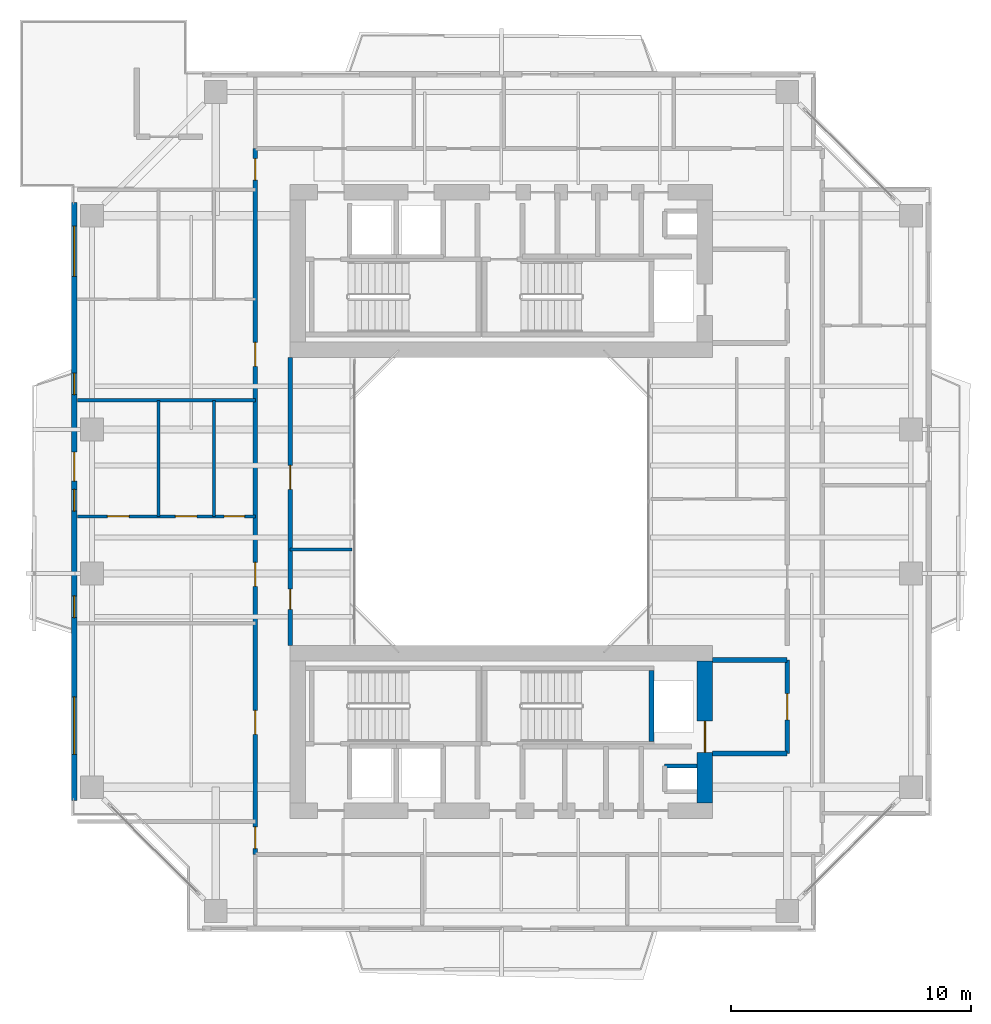
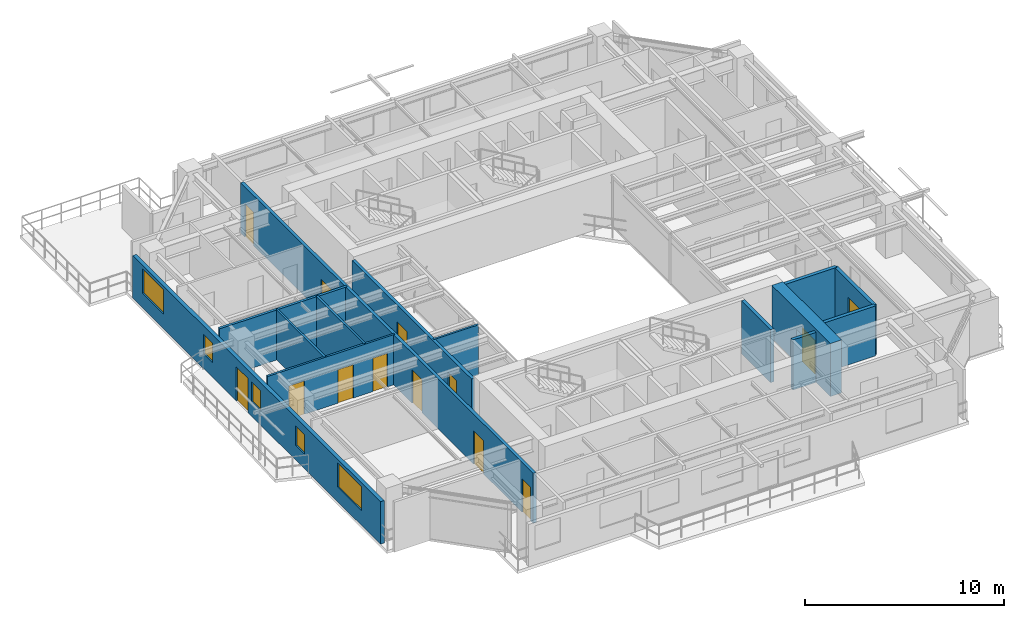
# One storey, part 11 of 17: 14 walls, 13 doors, 5 windows, 18 openings.
"""IFC4 building model written with IfcOpenShell, lengths in metres."""

from ifc_helpers import new_model, si_unit, direction, frame, frame_2d, origin, place, context, subcontext, project, spatial, rectangle, extrude, source, transform, mapped, material, layer, layer_set, type_object, element, fill, save


model = new_model("IFC4")

# Units and contexts
model_context = context("Model", 3, precision=1e-05, world=origin(), true_north=direction((0.0, 1.0)))
body_context = subcontext(model_context, "Body", "Model", "MODEL_VIEW")
ifc_project = project(units=[si_unit("LENGTHUNIT", "METRE"), si_unit("AREAUNIT", "SQUARE_METRE"), si_unit("VOLUMEUNIT", "CUBIC_METRE"), si_unit("PLANEANGLEUNIT", "RADIAN"), si_unit("MASSUNIT", "GRAM", prefix="KILO"), si_unit("THERMODYNAMICTEMPERATUREUNIT", "KELVIN"), si_unit("POWERUNIT", "WATT")], contexts=[model_context])

# Site, building, storey
site_placement = place(None, origin())
site = spatial("IfcSite", under=ifc_project, at=site_placement, CompositionType="ELEMENT")
building_placement = place(site_placement, origin())
building = spatial("IfcBuilding", under=site, at=building_placement, Name="Qiaomeng Ring Towers", CompositionType="ELEMENT")
storey_placement = place(building_placement, frame((0.0, 0.0, 143.75)))
storey = spatial("IfcBuildingStorey", under=building, at=storey_placement, Name="L41", CompositionType="ELEMENT", Elevation=143.75)

# Wall, openings, windows, door
ifc_material_1 = material(Name="Precast concrete C40", Category="concrete")
ifc_layer_1 = layer(ifc_material_1, 0.219970703125, Name="Precast concrete C40")
ifc_layer_set_1 = layer_set([ifc_layer_1], Name="Precast concrete C40")
wall_type_1 = type_object("IfcWallType", Name="ARC-WL-EW2", PredefinedType="STANDARD", material=ifc_layer_set_1)
wall_1_placement = place(storey_placement, frame((1.2099609375, 10.550048828125, 0.0), z_axis=(0.0, 0.0, 1.0), x_axis=(0.0, 1.0, 0.0)))
wall_1 = element("IfcWall", 1, at=wall_1_placement, inside=storey, type_object=wall_type_1, Name="L41 Tower 1 W Exterior Wall", PredefinedType="STANDARD", context=body_context, shape_type="SweptSolid", body=[
    extrude(rectangle(XDim=24.89990234375, YDim=0.219970703125, at=frame_2d((12.449951171875, 0.0))), origin(), (0.0, 0.0, 1.0), 2.610107421875),
])
opening_1_placement = place(wall_1_placement, frame((13.300048828125, 0.0, 0.0)))
opening_1 = element("IfcOpeningElement", 2, at=opening_1_placement, cuts=wall_1, Name="Opening BD1", PredefinedType="OPENING", context=body_context, shape_type="SweptSolid", body=[
    extrude(rectangle(XDim=1.199951171875, YDim=2.10009765625, at=frame_2d((0.60009765625, 1.050048828125))), frame((0.0, 0.119873046875, 0.0), z_axis=(0.0, -1.0, 0.0), x_axis=(1.0, 0.0, 0.0)), (0.0, 0.0, 1.0), 0.239990234375),
])
opening_2_placement = place(wall_1_placement, frame((1.912109375, 0.0, 0.89990234375)))
opening_2 = element("IfcOpeningElement", 3, at=opening_2_placement, cuts=wall_1, Name="Opening WN6", PredefinedType="OPENING", context=body_context, shape_type="SweptSolid", body=[
    extrude(rectangle(XDim=2.39990234375, YDim=1.47998046875, at=frame_2d((1.199951171875, 0.739990234375))), frame((0.0, 0.119873046875, 0.0), z_axis=(0.0, -1.0, 0.0), x_axis=(1.0, 0.0, 0.0)), (0.0, 0.0, 1.0), 0.239990234375),
])
opening_3_placement = place(wall_1_placement, frame((21.820068359375, 0.0, 0.89990234375)))
opening_3 = element("IfcOpeningElement", 4, at=opening_3_placement, cuts=wall_1, Name="Opening WN4", PredefinedType="OPENING", context=body_context, shape_type="SweptSolid", body=[
    extrude(rectangle(XDim=2.10009765625, YDim=1.5, at=frame_2d((1.050048828125, 0.75))), frame((0.0, 0.119873046875, 0.0), z_axis=(0.0, -1.0, 0.0), x_axis=(1.0, 0.0, 0.0)), (0.0, 0.0, 1.0), 0.239990234375),
])
opening_4_placement = place(wall_1_placement, frame((12.050048828125, 0.0, 0.89990234375)))
opening_4 = element("IfcOpeningElement", 5, at=opening_4_placement, cuts=wall_1, Name="Opening WN5", PredefinedType="OPENING", context=body_context, shape_type="SweptSolid", body=[
    extrude(rectangle(XDim=0.89990234375, YDim=1.199951171875, at=frame_2d((0.449951171875, 0.60009765625))), frame((0.0, 0.119873046875, 0.0), z_axis=(0.0, -1.0, 0.0), x_axis=(1.0, 0.0, 0.0)), (0.0, 0.0, 1.0), 0.239990234375),
])
opening_5_placement = place(wall_1_placement, frame((7.614990234375, 0.0, 0.89990234375)))
opening_5 = element("IfcOpeningElement", 6, at=opening_5_placement, cuts=wall_1, Name="Opening WN5", PredefinedType="OPENING", context=body_context, shape_type="SweptSolid", body=[
    extrude(rectangle(XDim=0.89990234375, YDim=1.199951171875, at=frame_2d((0.449951171875, 0.60009765625))), frame((0.0, 0.119873046875, 0.0), z_axis=(0.0, -1.0, 0.0), x_axis=(1.0, 0.0, 0.0)), (0.0, 0.0, 1.0), 0.239990234375),
])
opening_6_placement = place(wall_1_placement, frame((16.89501953125, 0.0, 0.89990234375)))
opening_6 = element("IfcOpeningElement", 7, at=opening_6_placement, cuts=wall_1, Name="Opening WN5", PredefinedType="OPENING", context=body_context, shape_type="SweptSolid", body=[
    extrude(rectangle(XDim=0.89990234375, YDim=1.199951171875, at=frame_2d((0.449951171875, 0.60009765625))), frame((0.0, 0.119873046875, 0.0), z_axis=(0.0, -1.0, 0.0), x_axis=(1.0, 0.0, 0.0)), (0.0, 0.0, 1.0), 0.239990234375),
])
ifc_material_2 = material(Name="Low-E dark-grey laminated double glazing", Category="glass")
window_type_1 = type_object("IfcWindowType", Name="ARC-WN-4", PartitioningType="TRIPLE_PANEL_VERTICAL", PredefinedType="WINDOW", material=ifc_material_2)
shared_shape_1 = source(origin(), body_context, "Body", "SweptSolid", [
    extrude(rectangle(XDim=2.10009765625, YDim=1.5, at=frame_2d((1.050048828125, 0.75))), frame((0.0, 0.030029296875, 0.0), z_axis=(0.0, -1.0, 0.0), x_axis=(1.0, 0.0, 0.0)), (0.0, 0.0, 1.0), 0.06005859375),
])
window_1_placement = place(opening_3_placement, origin())
window_1 = element("IfcWindow", 8, at=window_1_placement, inside=storey, type_object=window_type_1, Name="L41 Exterior Window WN4", OverallHeight=1.5, OverallWidth=2.10009765625, PartitioningType="TRIPLE_PANEL_VERTICAL", PredefinedType="WINDOW", context=body_context, shape_type="MappedRepresentation", body=[
    mapped(shared_shape_1, transform((0.0, 0.0, 0.0), x_axis=(1.0, 0.0, 0.0), y_axis=(0.0, 1.0, 0.0), z_axis=(0.0, 0.0, 1.0), scale=1.0)),
])
fill(opening_3, window_1)
window_type_2 = type_object("IfcWindowType", Name="ARC-WN-6", PartitioningType="TRIPLE_PANEL_VERTICAL", PredefinedType="WINDOW", material=ifc_material_2)
shared_shape_2 = source(origin(), body_context, "Body", "SweptSolid", [
    extrude(rectangle(XDim=2.39990234375, YDim=1.47998046875, at=frame_2d((1.199951171875, 0.739990234375))), frame((0.0, 0.030029296875, 0.0), z_axis=(0.0, -1.0, 0.0), x_axis=(1.0, 0.0, 0.0)), (0.0, 0.0, 1.0), 0.06005859375),
])
window_2_placement = place(opening_2_placement, origin())
window_2 = element("IfcWindow", 9, at=window_2_placement, inside=storey, type_object=window_type_2, Name="L41 Exterior Window WN6", OverallHeight=1.47998046875, OverallWidth=2.39990234375, PartitioningType="TRIPLE_PANEL_VERTICAL", PredefinedType="WINDOW", context=body_context, shape_type="MappedRepresentation", body=[
    mapped(shared_shape_2, transform((0.0, 0.0, 0.0), x_axis=(1.0, 0.0, 0.0), y_axis=(0.0, 1.0, 0.0), z_axis=(0.0, 0.0, 1.0), scale=1.0)),
])
fill(opening_2, window_2)
door_type_1 = type_object("IfcDoorType", Name="ARC-DR-BD1", OperationType="NOTDEFINED", PredefinedType="DOOR", material=ifc_material_2)
shared_shape_3 = source(origin(), body_context, "Body", "SweptSolid", [
    extrude(rectangle(XDim=1.199951171875, YDim=2.10009765625, at=frame_2d((0.60009765625, 1.050048828125))), frame((0.0, 0.02490234375, 0.0), z_axis=(0.0, -1.0, 0.0), x_axis=(1.0, 0.0, 0.0)), (0.0, 0.0, 1.0), 0.050048828125),
])
door_1_placement = place(opening_1_placement, frame((1.199951171875, 0.0, 0.0), z_axis=(0.0, 0.0, 1.0), x_axis=(-1.0, 0.0, 0.0)))
door_1 = element("IfcDoor", 10, at=door_1_placement, inside=storey, type_object=door_type_1, Name="L41 W Balcony Glazed Door", OperationType="SINGLE_SWING_LEFT", OverallHeight=2.10009765625, OverallWidth=1.199951171875, PredefinedType="DOOR", context=body_context, shape_type="MappedRepresentation", body=[
    mapped(shared_shape_3, transform((0.0, 0.0, 0.0), x_axis=(1.0, 0.0, 0.0), y_axis=(0.0, 1.0, 0.0), z_axis=(0.0, 0.0, 1.0), scale=1.0)),
])
fill(opening_1, door_1)
window_type_3 = type_object("IfcWindowType", Name="ARC-WN-5", PartitioningType="SINGLE_PANEL", PredefinedType="WINDOW", material=ifc_material_2)
shared_shape_4 = source(origin(), body_context, "Body", "SweptSolid", [
    extrude(rectangle(XDim=0.89990234375, YDim=1.199951171875, at=frame_2d((0.449951171875, 0.60009765625))), frame((0.0, 0.030029296875, 0.0), z_axis=(0.0, -1.0, 0.0), x_axis=(1.0, 0.0, 0.0)), (0.0, 0.0, 1.0), 0.06005859375),
])
window_3_placement = place(opening_4_placement, origin())
window_3 = element("IfcWindow", 11, at=window_3_placement, inside=storey, type_object=window_type_3, Name="L41 Exterior Window WN5", OverallHeight=1.199951171875, OverallWidth=0.89990234375, PartitioningType="SINGLE_PANEL", PredefinedType="WINDOW", context=body_context, shape_type="MappedRepresentation", body=[
    mapped(shared_shape_4, transform((0.0, 0.0, 0.0), x_axis=(1.0, 0.0, 0.0), y_axis=(0.0, 1.0, 0.0), z_axis=(0.0, 0.0, 1.0), scale=1.0)),
])
fill(opening_4, window_3)
window_4_placement = place(opening_5_placement, origin())
window_4 = element("IfcWindow", 12, at=window_4_placement, inside=storey, type_object=window_type_3, Name="L41 Exterior Window WN5", OverallHeight=1.199951171875, OverallWidth=0.89990234375, PartitioningType="SINGLE_PANEL", PredefinedType="WINDOW", context=body_context, shape_type="MappedRepresentation", body=[
    mapped(shared_shape_4, transform((0.0, 0.0, 0.0), x_axis=(1.0, 0.0, 0.0), y_axis=(0.0, 1.0, 0.0), z_axis=(0.0, 0.0, 1.0), scale=1.0)),
])
fill(opening_5, window_4)
window_5_placement = place(opening_6_placement, origin())
window_5 = element("IfcWindow", 13, at=window_5_placement, inside=storey, type_object=window_type_3, Name="L41 Exterior Window WN5", OverallHeight=1.199951171875, OverallWidth=0.89990234375, PartitioningType="SINGLE_PANEL", PredefinedType="WINDOW", context=body_context, shape_type="MappedRepresentation", body=[
    mapped(shared_shape_4, transform((0.0, 0.0, 0.0), x_axis=(1.0, 0.0, 0.0), y_axis=(0.0, 1.0, 0.0), z_axis=(0.0, 0.0, 1.0), scale=1.0)),
])
fill(opening_6, window_5)

# Walls
ifc_material_3 = material(Name="Autoclaved aerated concrete block", Category="concrete")
ifc_layer_2 = layer(ifc_material_3, 0.199951171875, Name="Autoclaved aerated concrete block")
ifc_layer_set_2 = layer_set([ifc_layer_2], Name="Autoclaved aerated concrete block")
wall_type_2 = type_object("IfcWallType", Name="ARC-WL-PW1", PredefinedType="PARTITIONING", material=ifc_layer_set_2)
for number, where, z_axis, x_axis, name in (
    (14, (27.800048828125, 16.39990234375, 0.0), (0.0, 0.0, 1.0), (1.0, 0.0, 0.0), "L41 Interior Wall PW1"),
    (15, (27.800048828125, 12.5, 0.0), (0.0, 0.0, 1.0), (1.0, 0.0, 0.0), "L41 Interior Wall PW1"),
):
    element("IfcWall", number, at=place(storey_placement, frame(where, z_axis=z_axis, x_axis=x_axis)), inside=storey, type_object=wall_type_2, Name=name, PredefinedType="PARTITIONING", context=body_context, shape_type="SweptSolid", body=[
        extrude(rectangle(XDim=3.099853515625, YDim=0.199951171875, at=frame_2d((1.5498046875, 0.0))), origin(), (0.0, 0.0, 1.0), 3.070068359375),
    ])

# Wall, opening, door
wall_2_placement = place(storey_placement, frame((30.89990234375, 12.5, 0.0), z_axis=(0.0, 0.0, 1.0), x_axis=(0.0, 1.0, 0.0)))
wall_2 = element("IfcWall", 16, at=wall_2_placement, inside=storey, type_object=wall_type_2, Name="L41 Interior Wall PW1", PredefinedType="PARTITIONING", context=body_context, shape_type="SweptSolid", body=[
    extrude(rectangle(XDim=3.89990234375, YDim=0.199951171875, at=frame_2d((1.949951171875, 0.0))), origin(), (0.0, 0.0, 1.0), 3.070068359375),
])
opening_7_placement = place(wall_2_placement, frame((1.39990234375, 0.0, 0.0)))
opening_7 = element("IfcOpeningElement", 17, at=opening_7_placement, cuts=wall_2, Name="Opening FD3", PredefinedType="OPENING", context=body_context, shape_type="SweptSolid", body=[
    extrude(rectangle(XDim=1.10009765625, YDim=2.050048828125, at=frame_2d((0.550048828125, 1.02490234375))), frame((0.0, 0.10986328125, 0.0), z_axis=(0.0, -1.0, 0.0), x_axis=(1.0, 0.0, 0.0)), (0.0, 0.0, 1.0), 0.219970703125),
])
ifc_material_4 = material(Name="Galvanised steel", Category="steel")
door_type_2 = type_object("IfcDoorType", Name="ARC-DR-FD3", OperationType="NOTDEFINED", PredefinedType="DOOR", material=ifc_material_4)
shared_shape_5 = source(origin(), body_context, "Body", "SweptSolid", [
    extrude(rectangle(XDim=1.10009765625, YDim=2.050048828125, at=frame_2d((0.550048828125, 1.02490234375))), frame((0.0, 0.02490234375, 0.0), z_axis=(0.0, -1.0, 0.0), x_axis=(1.0, 0.0, 0.0)), (0.0, 0.0, 1.0), 0.050048828125),
])
door_2_placement = place(opening_7_placement, origin())
door_2 = element("IfcDoor", 18, at=door_2_placement, inside=storey, type_object=door_type_2, Name="L41 South FF Lobby Door", OperationType="SINGLE_SWING_RIGHT", OverallHeight=2.050048828125, OverallWidth=1.10009765625, PredefinedType="DOOR", context=body_context, shape_type="MappedRepresentation", body=[
    mapped(shared_shape_5, transform((0.0, 0.0, 0.0), x_axis=(1.0, 0.0, 0.0), y_axis=(0.0, 1.0, 0.0), z_axis=(0.0, 0.0, 1.0), scale=1.0)),
])
fill(opening_7, door_2)

# Wall, openings, doors
ifc_layer_3 = layer(ifc_material_3, 0.179931640625, Name="Autoclaved aerated concrete block")
ifc_layer_set_3 = layer_set([ifc_layer_3], Name="Autoclaved aerated concrete block")
wall_type_3 = type_object("IfcWallType", Name="ARC-WL-PW2", PredefinedType="PARTITIONING", material=ifc_layer_set_3)
wall_3_placement = place(storey_placement, frame((8.75, 8.300048828125, 0.0), z_axis=(0.0, 0.0, 1.0), x_axis=(0.0, 1.0, 0.0)))
wall_3 = element("IfcWall", 19, at=wall_3_placement, inside=storey, type_object=wall_type_3, Name="L41 Interior Wall PW2", PredefinedType="PARTITIONING", context=body_context, shape_type="SweptSolid", body=[
    extrude(rectangle(XDim=29.39990234375, YDim=0.179931640625, at=frame_2d((14.699951171875, 0.0))), origin(), (0.0, 0.0, 1.0), 3.070068359375),
])
opening_8_placement = place(wall_3_placement, frame((28.080078125, 0.0, 0.0)))
opening_8 = element("IfcOpeningElement", 20, at=opening_8_placement, cuts=wall_3, Name="Opening ID1", PredefinedType="OPENING", context=body_context, shape_type="SweptSolid", body=[
    extrude(rectangle(XDim=0.89990234375, YDim=2.050048828125, at=frame_2d((0.449951171875, 1.02490234375))), frame((0.0, 0.099853515625, 0.0), z_axis=(0.0, -1.0, 0.0), x_axis=(1.0, 0.0, 0.0)), (0.0, 0.0, 1.0), 0.199951171875),
])
opening_9_placement = place(wall_3_placement, frame((0.2451171875, 0.0, 0.0)))
opening_9 = element("IfcOpeningElement", 21, at=opening_9_placement, cuts=wall_3, Name="Opening ID1", PredefinedType="OPENING", context=body_context, shape_type="SweptSolid", body=[
    extrude(rectangle(XDim=0.89990234375, YDim=2.050048828125, at=frame_2d((0.449951171875, 1.02490234375))), frame((0.0, 0.099853515625, 0.0), z_axis=(0.0, -1.0, 0.0), x_axis=(1.0, 0.0, 0.0)), (0.0, 0.0, 1.0), 0.199951171875),
])
opening_10_placement = place(wall_3_placement, frame((5.0, 0.0, 0.0)))
opening_10 = element("IfcOpeningElement", 22, at=opening_10_placement, cuts=wall_3, Name="Opening FD4", PredefinedType="OPENING", context=body_context, shape_type="SweptSolid", body=[
    extrude(rectangle(XDim=1.0, YDim=2.050048828125, at=frame_2d((0.5, 1.02490234375))), frame((0.0, 0.099853515625, 0.0), z_axis=(0.0, -1.0, 0.0), x_axis=(1.0, 0.0, 0.0)), (0.0, 0.0, 1.0), 0.199951171875),
])
opening_11_placement = place(wall_3_placement, frame((11.1650390625, 0.0, 0.0)))
opening_11 = element("IfcOpeningElement", 23, at=opening_11_placement, cuts=wall_3, Name="Opening FD4", PredefinedType="OPENING", context=body_context, shape_type="SweptSolid", body=[
    extrude(rectangle(XDim=1.0, YDim=2.050048828125, at=frame_2d((0.5, 1.02490234375))), frame((0.0, 0.099853515625, 0.0), z_axis=(0.0, -1.0, 0.0), x_axis=(1.0, 0.0, 0.0)), (0.0, 0.0, 1.0), 0.199951171875),
])
opening_12_placement = place(wall_3_placement, frame((20.324951171875, 0.0, 0.0)))
opening_12 = element("IfcOpeningElement", 24, at=opening_12_placement, cuts=wall_3, Name="Opening FD4", PredefinedType="OPENING", context=body_context, shape_type="SweptSolid", body=[
    extrude(rectangle(XDim=1.0, YDim=2.050048828125, at=frame_2d((0.5, 1.02490234375))), frame((0.0, 0.099853515625, 0.0), z_axis=(0.0, -1.0, 0.0), x_axis=(1.0, 0.0, 0.0)), (0.0, 0.0, 1.0), 0.199951171875),
])
ifc_material_5 = material(Name="Engineered fire-rated oak timber", Category="wood")
door_type_3 = type_object("IfcDoorType", Name="ARC-DR-FD4", OperationType="NOTDEFINED", PredefinedType="DOOR", material=ifc_material_5)
shared_shape_6 = source(origin(), body_context, "Body", "SweptSolid", [
    extrude(rectangle(XDim=1.0, YDim=2.050048828125, at=frame_2d((0.5, 1.02490234375))), frame((0.0, 0.02490234375, 0.0), z_axis=(0.0, -1.0, 0.0), x_axis=(1.0, 0.0, 0.0)), (0.0, 0.0, 1.0), 0.050048828125),
])
door_3_placement = place(opening_10_placement, origin())
door_3 = element("IfcDoor", 25, at=door_3_placement, inside=storey, type_object=door_type_3, Name="L41 Door FD4", OperationType="SINGLE_SWING_RIGHT", OverallHeight=2.050048828125, OverallWidth=1.0, PredefinedType="DOOR", context=body_context, shape_type="MappedRepresentation", body=[
    mapped(shared_shape_6, transform((0.0, 0.0, 0.0), x_axis=(1.0, 0.0, 0.0), y_axis=(0.0, 1.0, 0.0), z_axis=(0.0, 0.0, 1.0), scale=1.0)),
])
fill(opening_10, door_3)
door_4_placement = place(opening_11_placement, origin())
door_4 = element("IfcDoor", 26, at=door_4_placement, inside=storey, type_object=door_type_3, Name="L41 Door FD4", OperationType="SINGLE_SWING_RIGHT", OverallHeight=2.050048828125, OverallWidth=1.0, PredefinedType="DOOR", context=body_context, shape_type="MappedRepresentation", body=[
    mapped(shared_shape_6, transform((0.0, 0.0, 0.0), x_axis=(1.0, 0.0, 0.0), y_axis=(0.0, 1.0, 0.0), z_axis=(0.0, 0.0, 1.0), scale=1.0)),
])
fill(opening_11, door_4)
door_5_placement = place(opening_12_placement, origin())
door_5 = element("IfcDoor", 27, at=door_5_placement, inside=storey, type_object=door_type_3, Name="L41 Door FD4", OperationType="SINGLE_SWING_RIGHT", OverallHeight=2.050048828125, OverallWidth=1.0, PredefinedType="DOOR", context=body_context, shape_type="MappedRepresentation", body=[
    mapped(shared_shape_6, transform((0.0, 0.0, 0.0), x_axis=(1.0, 0.0, 0.0), y_axis=(0.0, 1.0, 0.0), z_axis=(0.0, 0.0, 1.0), scale=1.0)),
])
fill(opening_12, door_5)
ifc_material_6 = material(Name="Engineered oak timber", Category="wood")
door_type_4 = type_object("IfcDoorType", Name="ARC-DR-ID1", OperationType="NOTDEFINED", PredefinedType="DOOR", material=ifc_material_6)
shared_shape_7 = source(origin(), body_context, "Body", "SweptSolid", [
    extrude(rectangle(XDim=0.89990234375, YDim=2.050048828125, at=frame_2d((0.449951171875, 1.02490234375))), frame((0.0, 0.02490234375, 0.0), z_axis=(0.0, -1.0, 0.0), x_axis=(1.0, 0.0, 0.0)), (0.0, 0.0, 1.0), 0.050048828125),
])
door_6_placement = place(opening_8_placement, origin())
door_6 = element("IfcDoor", 28, at=door_6_placement, inside=storey, type_object=door_type_4, Name="L41 Door ID1", OperationType="SINGLE_SWING_RIGHT", OverallHeight=2.050048828125, OverallWidth=0.89990234375, PredefinedType="DOOR", context=body_context, shape_type="MappedRepresentation", body=[
    mapped(shared_shape_7, transform((0.0, 0.0, 0.0), x_axis=(1.0, 0.0, 0.0), y_axis=(0.0, 1.0, 0.0), z_axis=(0.0, 0.0, 1.0), scale=1.0)),
])
fill(opening_8, door_6)
door_7_placement = place(opening_9_placement, origin())
door_7 = element("IfcDoor", 29, at=door_7_placement, inside=storey, type_object=door_type_4, Name="L41 Door ID1", OperationType="SINGLE_SWING_LEFT", OverallHeight=2.050048828125, OverallWidth=0.89990234375, PredefinedType="DOOR", context=body_context, shape_type="MappedRepresentation", body=[
    mapped(shared_shape_7, transform((0.0, 0.0, 0.0), x_axis=(1.0, 0.0, 0.0), y_axis=(0.0, 1.0, 0.0), z_axis=(0.0, 0.0, 1.0), scale=1.0)),
])
fill(opening_9, door_7)

wall_4_placement = place(storey_placement, frame((10.199951171875, 17.0, 0.0), z_axis=(0.0, 0.0, 1.0), x_axis=(0.0, 1.0, 0.0)))
wall_4 = element("IfcWall", 30, at=wall_4_placement, inside=storey, type_object=wall_type_3, Name="L41 Interior Wall PW2", PredefinedType="PARTITIONING", context=body_context, shape_type="SweptSolid", body=[
    extrude(rectangle(XDim=12.0, YDim=0.179931640625, at=frame_2d((6.0, 0.0))), origin(), (0.0, 0.0, 1.0), 3.070068359375),
])
opening_13_placement = place(wall_4_placement, frame((1.5, 0.0, 0.0)))
opening_13 = element("IfcOpeningElement", 31, at=opening_13_placement, cuts=wall_4, Name="Opening ID2", PredefinedType="OPENING", context=body_context, shape_type="SweptSolid", body=[
    extrude(rectangle(XDim=0.85009765625, YDim=2.050048828125, at=frame_2d((0.425048828125, 1.02490234375))), frame((0.0, 0.099853515625, 0.0), z_axis=(0.0, -1.0, 0.0), x_axis=(1.0, 0.0, 0.0)), (0.0, 0.0, 1.0), 0.199951171875),
])
opening_14_placement = place(wall_4_placement, frame((6.5, 0.0, 0.0)))
opening_14 = element("IfcOpeningElement", 32, at=opening_14_placement, cuts=wall_4, Name="Opening FD4", PredefinedType="OPENING", context=body_context, shape_type="SweptSolid", body=[
    extrude(rectangle(XDim=1.0, YDim=2.050048828125, at=frame_2d((0.5, 1.02490234375))), frame((0.0, 0.099853515625, 0.0), z_axis=(0.0, -1.0, 0.0), x_axis=(1.0, 0.0, 0.0)), (0.0, 0.0, 1.0), 0.199951171875),
])
door_8_placement = place(opening_14_placement, origin())
door_8 = element("IfcDoor", 33, at=door_8_placement, inside=storey, type_object=door_type_3, Name="L41 Door FD4", OperationType="SINGLE_SWING_RIGHT", OverallHeight=2.050048828125, OverallWidth=1.0, PredefinedType="DOOR", context=body_context, shape_type="MappedRepresentation", body=[
    mapped(shared_shape_6, transform((0.0, 0.0, 0.0), x_axis=(1.0, 0.0, 0.0), y_axis=(0.0, 1.0, 0.0), z_axis=(0.0, 0.0, 1.0), scale=1.0)),
])
fill(opening_14, door_8)
ifc_material_7 = material(Name="Moisture-resistant engineered timber", Category="wood")
door_type_5 = type_object("IfcDoorType", Name="ARC-DR-ID2", OperationType="NOTDEFINED", PredefinedType="DOOR", material=ifc_material_7)
shared_shape_8 = source(origin(), body_context, "Body", "SweptSolid", [
    extrude(rectangle(XDim=0.85009765625, YDim=2.050048828125, at=frame_2d((0.425048828125, 1.02490234375))), frame((0.0, 0.02490234375, 0.0), z_axis=(0.0, -1.0, 0.0), x_axis=(1.0, 0.0, 0.0)), (0.0, 0.0, 1.0), 0.050048828125),
])
door_9_placement = place(opening_13_placement, origin())
door_9 = element("IfcDoor", 34, at=door_9_placement, inside=storey, type_object=door_type_5, Name="L41 Door ID2", OperationType="SINGLE_SWING_LEFT", OverallHeight=2.050048828125, OverallWidth=0.85009765625, PredefinedType="DOOR", context=body_context, shape_type="MappedRepresentation", body=[
    mapped(shared_shape_8, transform((0.0, 0.0, 0.0), x_axis=(1.0, 0.0, 0.0), y_axis=(0.0, 1.0, 0.0), z_axis=(0.0, 0.0, 1.0), scale=1.0)),
])
fill(opening_13, door_9)

# Wall
ifc_material_8 = material(Name="Gypsum fireboard steel-stud partition", Category="steel")
ifc_layer_4 = layer(ifc_material_8, 0.14990234375, Name="Gypsum fireboard steel-stud partition")
ifc_layer_set_4 = layer_set([ifc_layer_4], Name="Gypsum fireboard steel-stud partition")
wall_type_4 = type_object("IfcWallType", Name="ARC-WL-PW3", PredefinedType="PARTITIONING", material=ifc_layer_set_4)
wall_5_placement = place(storey_placement, frame((1.35009765625, 27.2099609375, 0.0), z_axis=(0.0, 0.0, 1.0), x_axis=(1.0, 0.0, 0.0)))
element("IfcWall", 35, at=wall_5_placement, inside=storey, type_object=wall_type_4, Name="L41 Interior Wall PW3", PredefinedType="PARTITIONING", context=body_context, shape_type="SweptSolid", body=[
    extrude(rectangle(XDim=7.39990234375, YDim=0.14990234375, at=frame_2d((3.699951171875, 0.0))), origin(), (0.0, 0.0, 1.0), 3.070068359375),
])

# Wall, openings, doors
ifc_material_9 = material(Name="Moisture-resistant gypsum steel-stud partition", Category="steel")
ifc_layer_5 = layer(ifc_material_9, 0.1201171875, Name="Moisture-resistant gypsum steel-stud partition")
ifc_layer_set_5 = layer_set([ifc_layer_5], Name="Moisture-resistant gypsum steel-stud partition")
wall_type_5 = type_object("IfcWallType", Name="ARC-WL-PW4", PredefinedType="PLUMBINGWALL", material=ifc_layer_set_5)
wall_6_placement = place(storey_placement, frame((1.35009765625, 22.3798828125, 0.0), z_axis=(0.0, 0.0, 1.0), x_axis=(1.0, 0.0, 0.0)))
wall_6 = element("IfcWall", 36, at=wall_6_placement, inside=storey, type_object=wall_type_5, Name="L41 Interior Wall PW4", PredefinedType="PLUMBINGWALL", context=body_context, shape_type="SweptSolid", body=[
    extrude(rectangle(XDim=7.39990234375, YDim=0.1201171875, at=frame_2d((3.699951171875, 0.0))), origin(), (0.0, 0.0, 1.0), 3.070068359375),
])
opening_15_placement = place(wall_6_placement, frame((1.239990234375, 0.0, 0.0)))
opening_15 = element("IfcOpeningElement", 37, at=opening_15_placement, cuts=wall_6, Name="Opening ID1", PredefinedType="OPENING", context=body_context, shape_type="SweptSolid", body=[
    extrude(rectangle(XDim=0.89990234375, YDim=2.050048828125, at=frame_2d((0.449951171875, 1.02490234375))), frame((0.0, 0.070068359375, 0.0), z_axis=(0.0, -1.0, 0.0), x_axis=(1.0, 0.0, 0.0)), (0.0, 0.0, 1.0), 0.14013671875),
])
opening_16_placement = place(wall_6_placement, frame((4.070068359375, 0.0, 0.0)))
opening_16 = element("IfcOpeningElement", 38, at=opening_16_placement, cuts=wall_6, Name="Opening ID1", PredefinedType="OPENING", context=body_context, shape_type="SweptSolid", body=[
    extrude(rectangle(XDim=0.89990234375, YDim=2.050048828125, at=frame_2d((0.449951171875, 1.02490234375))), frame((0.0, 0.070068359375, 0.0), z_axis=(0.0, -1.0, 0.0), x_axis=(1.0, 0.0, 0.0)), (0.0, 0.0, 1.0), 0.14013671875),
])
opening_17_placement = place(wall_6_placement, frame((6.10498046875, 0.0, 0.0)))
opening_17 = element("IfcOpeningElement", 39, at=opening_17_placement, cuts=wall_6, Name="Opening ID2", PredefinedType="OPENING", context=body_context, shape_type="SweptSolid", body=[
    extrude(rectangle(XDim=0.85009765625, YDim=2.050048828125, at=frame_2d((0.425048828125, 1.02490234375))), frame((0.0, 0.070068359375, 0.0), z_axis=(0.0, -1.0, 0.0), x_axis=(1.0, 0.0, 0.0)), (0.0, 0.0, 1.0), 0.14013671875),
])
door_10_placement = place(opening_17_placement, origin())
door_10 = element("IfcDoor", 40, at=door_10_placement, inside=storey, type_object=door_type_5, Name="L41 Door ID2", OperationType="SINGLE_SWING_LEFT", OverallHeight=2.050048828125, OverallWidth=0.85009765625, PredefinedType="DOOR", context=body_context, shape_type="MappedRepresentation", body=[
    mapped(shared_shape_8, transform((0.0, 0.0, 0.0), x_axis=(1.0, 0.0, 0.0), y_axis=(0.0, 1.0, 0.0), z_axis=(0.0, 0.0, 1.0), scale=1.0)),
])
fill(opening_17, door_10)
door_11_placement = place(opening_15_placement, origin())
door_11 = element("IfcDoor", 41, at=door_11_placement, inside=storey, type_object=door_type_4, Name="L41 Door ID1", OperationType="SINGLE_SWING_LEFT", OverallHeight=2.050048828125, OverallWidth=0.89990234375, PredefinedType="DOOR", context=body_context, shape_type="MappedRepresentation", body=[
    mapped(shared_shape_7, transform((0.0, 0.0, 0.0), x_axis=(1.0, 0.0, 0.0), y_axis=(0.0, 1.0, 0.0), z_axis=(0.0, 0.0, 1.0), scale=1.0)),
])
fill(opening_15, door_11)
door_12_placement = place(opening_16_placement, origin())
door_12 = element("IfcDoor", 42, at=door_12_placement, inside=storey, type_object=door_type_4, Name="L41 Door ID1", OperationType="SINGLE_SWING_RIGHT", OverallHeight=2.050048828125, OverallWidth=0.89990234375, PredefinedType="DOOR", context=body_context, shape_type="MappedRepresentation", body=[
    mapped(shared_shape_7, transform((0.0, 0.0, 0.0), x_axis=(1.0, 0.0, 0.0), y_axis=(0.0, 1.0, 0.0), z_axis=(0.0, 0.0, 1.0), scale=1.0)),
])
fill(opening_16, door_12)

# Walls
for number, where, z_axis, x_axis, name in (
    (43, (4.7099609375, 22.3798828125, 0.0), (0.0, 0.0, 1.0), (0.0, 1.0, 0.0), "L41 Interior Wall PW4"),
    (44, (7.030029296875, 22.3798828125, 0.0), (0.0, 0.0, 1.0), (0.0, 1.0, 0.0), "L41 Interior Wall PW4"),
):
    element("IfcWall", number, at=place(storey_placement, frame(where, z_axis=z_axis, x_axis=x_axis)), inside=storey, type_object=wall_type_5, Name=name, PredefinedType="PLUMBINGWALL", context=body_context, shape_type="SweptSolid", body=[
        extrude(rectangle(XDim=4.830078125, YDim=0.1201171875, at=frame_2d((2.4150390625, 0.0))), origin(), (0.0, 0.0, 1.0), 3.070068359375),
    ])
wall_7_placement = place(storey_placement, frame((10.199951171875, 21.0, 0.0), z_axis=(0.0, 0.0, 1.0), x_axis=(1.0, 0.0, 0.0)))
element("IfcWall", 45, at=wall_7_placement, inside=storey, type_object=wall_type_5, Name="L41 Interior Wall PW4", PredefinedType="PLUMBINGWALL", context=body_context, shape_type="SweptSolid", body=[
    extrude(rectangle(XDim=2.580078125, YDim=0.1201171875, at=frame_2d((1.2900390625, 0.0))), origin(), (0.0, 0.0, 1.0), 3.070068359375),
])
ifc_material_10 = material(Name="Concrete C40", Category="concrete")
ifc_layer_6 = layer(ifc_material_10, 0.199951171875, Name="Concrete C40")
ifc_layer_set_6 = layer_set([ifc_layer_6], Name="Concrete C40")
wall_type_6 = type_object("IfcWallType", Name="STR-WL-STSHAFT", PredefinedType="SHEAR", material=ifc_layer_set_6)
wall_8_placement = place(storey_placement, frame((25.800048828125, 11.97998046875, 0.0), z_axis=(0.0, 0.0, 1.0), x_axis=(1.0, 0.0, 0.0)))
element("IfcWall", 46, at=wall_8_placement, inside=storey, type_object=wall_type_6, Name="L41 Riser RSR1 North Shaft Wall S", PredefinedType="SHEAR", context=body_context, shape_type="SweptSolid", body=[
    extrude(rectangle(XDim=1.349853515625, YDim=0.179931640625, at=frame_2d((0.6748046875, 0.0))), origin(), (0.0, 0.0, 1.0), 3.070068359375),
])
wall_9_placement = place(storey_placement, frame((25.25, 13.010009765625, 0.0), z_axis=(0.0, 0.0, 1.0), x_axis=(0.0, 1.0, 0.0)))
element("IfcWall", 47, at=wall_9_placement, inside=storey, type_object=wall_type_6, Name="L41 Stair ST4 East Shaft Shear Wall", PredefinedType="SHEAR", context=body_context, shape_type="SweptSolid", body=[
    extrude(rectangle(XDim=2.93994140625, YDim=0.199951171875, at=frame_2d((1.469970703125, 0.0))), origin(), (0.0, 0.0, 1.0), 3.25),
])

# Wall, opening, door
ifc_material_11 = material(Name="Concrete C50", Category="concrete")
ifc_layer_7 = layer(ifc_material_11, 0.64990234375, Name="Concrete C50")
ifc_layer_set_7 = layer_set([ifc_layer_7], Name="Concrete C50")
wall_type_7 = type_object("IfcWallType", Name="STR-WL-SW2B", PredefinedType="SHEAR", material=ifc_layer_set_7)
wall_10_placement = place(storey_placement, frame((27.47509765625, 10.449951171875, 0.0), z_axis=(0.0, 0.0, 1.0), x_axis=(0.0, 1.0, 0.0)))
wall_10 = element("IfcWall", 48, at=wall_10_placement, inside=storey, type_object=wall_type_7, Name="L41 T1SC east core shear wall", PredefinedType="SHEAR", context=body_context, shape_type="SweptSolid", body=[
    extrude(rectangle(XDim=5.900146484375, YDim=0.64990234375, at=frame_2d((2.9501953125, 0.0))), origin(), (0.0, 0.0, 1.0), 3.25),
])
opening_18_placement = place(wall_10_placement, frame((2.10009765625, 0.0, 0.0)))
opening_18 = element("IfcOpeningElement", 49, at=opening_18_placement, cuts=wall_10, Name="Opening LD2", PredefinedType="OPENING", context=body_context, shape_type="SweptSolid", body=[
    extrude(rectangle(XDim=1.300048828125, YDim=2.050048828125, at=frame_2d((0.64990234375, 1.02490234375))), frame((0.0, 0.3349609375, 0.0), z_axis=(0.0, -1.0, 0.0), x_axis=(1.0, 0.0, 0.0)), (0.0, 0.0, 1.0), 0.669921875),
])
ifc_material_12 = material(Name="Stainless steel 316", Category="steel")
door_type_6 = type_object("IfcDoorType", Name="ARC-DR-LD2", OperationType="NOTDEFINED", PredefinedType="DOOR", material=ifc_material_12)
shared_shape_9 = source(origin(), body_context, "Body", "SweptSolid", [
    extrude(rectangle(XDim=1.300048828125, YDim=2.050048828125, at=frame_2d((0.64990234375, 1.02490234375))), frame((0.0, 0.02490234375, 0.0), z_axis=(0.0, -1.0, 0.0), x_axis=(1.0, 0.0, 0.0)), (0.0, 0.0, 1.0), 0.050048828125),
])
door_13_placement = place(opening_18_placement, origin())
door_13 = element("IfcDoor", 50, at=door_13_placement, inside=storey, type_object=door_type_6, Name="L41 Firefighting Lift FL2 Landing Door", OperationType="SLIDING_TO_RIGHT", OverallHeight=2.050048828125, OverallWidth=1.300048828125, PredefinedType="DOOR", context=body_context, shape_type="MappedRepresentation", body=[
    mapped(shared_shape_9, transform((0.0, 0.0, 0.0), x_axis=(1.0, 0.0, 0.0), y_axis=(0.0, 1.0, 0.0), z_axis=(0.0, 0.0, 1.0), scale=1.0)),
])
fill(opening_18, door_13)

save(model, "model.ifc")
